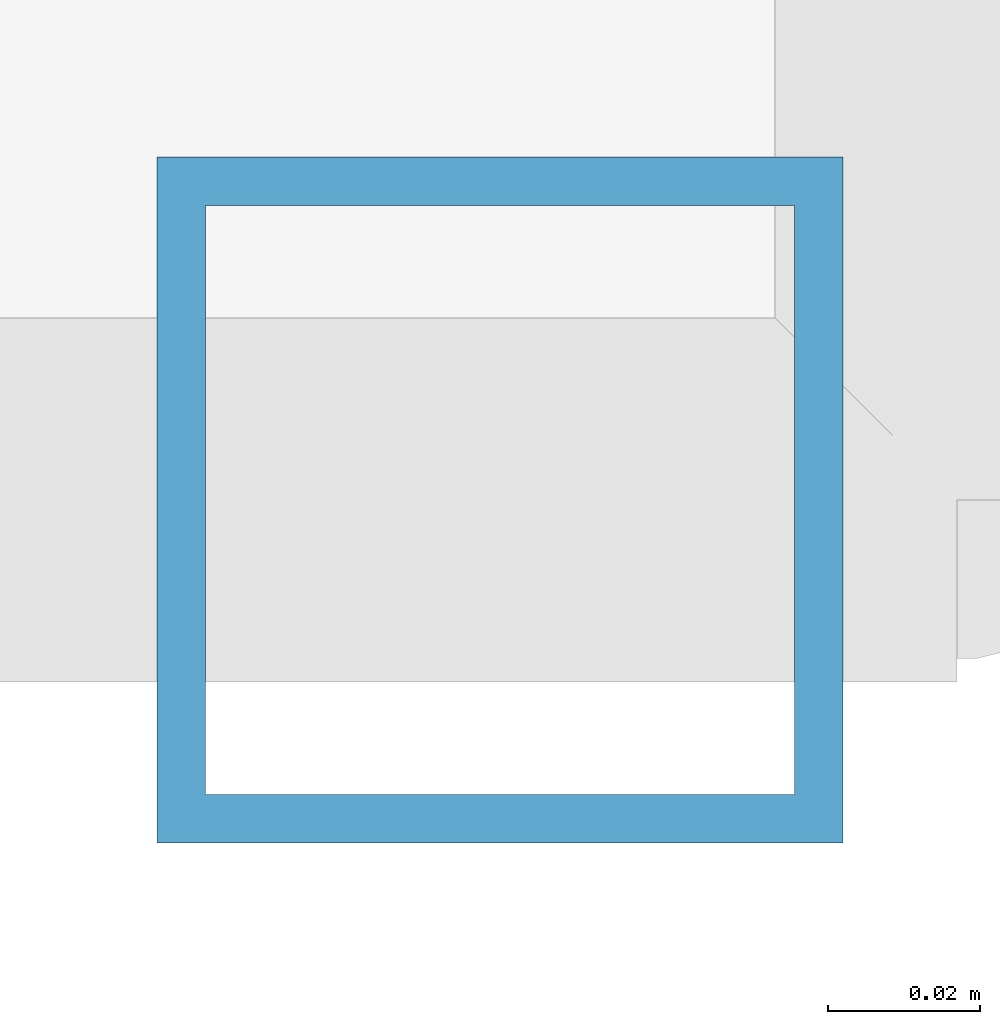
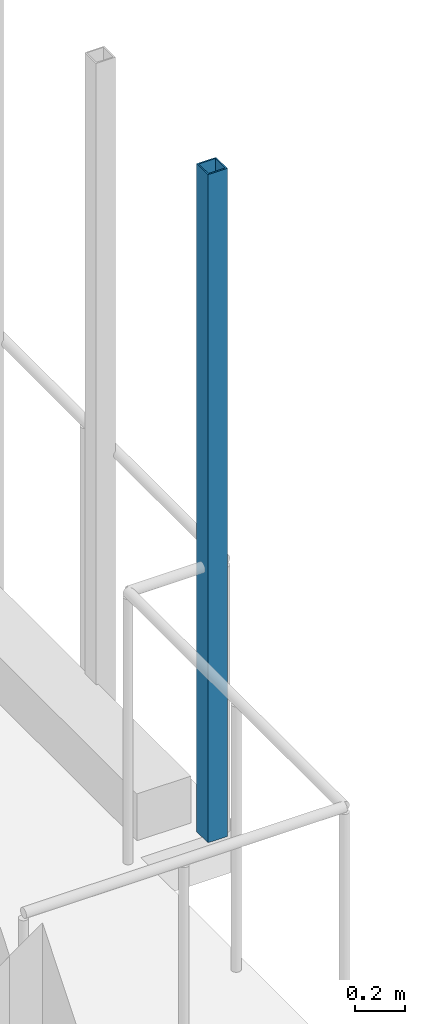
# One storey, part 8 of 73: 1 member.
"""IFC4 building model written with IfcOpenShell, lengths in metres."""

import ifcopenshell
import ifcopenshell.guid

model = None  # the IFC model being written
_history = None  # IfcOwnerHistory: only IFC2X3 demands one
_inside = {}  # id of a spatial element -> (the spatial element, [elements in it])
_under = {}  # id of a project, library or spatial element -> (it, [spatial elements below it])
_declared = {}  # id of a project -> (the project, [libraries it declares])
_typed = {}  # id of a type object -> (the type object, [elements of that type])
_made_of = {}  # id of a material, layer set ... -> (it, [elements and type objects made of it])


def new_model(schema):
    """Start an empty IFC model of exactly this schema.

    Asked for "IFC4X3", IfcOpenShell would pick the latest addendum, in which some entities
    have other attributes; the version numbers below select the first issue.
    IFC2X3 requires an IfcOwnerHistory on every rooted entity: one is made here for all.
    """
    global model, _history
    if schema == "IFC4X3":
        model = ifcopenshell.file(schema_version=(4, 3, 0, 0))
    else:
        model = ifcopenshell.file(schema=schema)
    _inside.clear()
    _under.clear()
    _declared.clear()
    _typed.clear()
    _made_of.clear()
    _history = None
    if model.schema == "IFC2X3":
        org = make("IfcOrganization", Name="unknown")
        user = make(
            "IfcPersonAndOrganization",
            ThePerson=make("IfcPerson", FamilyName="unknown"),
            TheOrganization=org,
        )
        app = make(
            "IfcApplication",
            ApplicationDeveloper=org,
            Version="unknown",
            ApplicationFullName="unknown",
            ApplicationIdentifier="unknown",
        )
        _history = make(
            "IfcOwnerHistory",
            OwningUser=user,
            OwningApplication=app,
            ChangeAction="ADDED",
            CreationDate=0,
        )
    return model


def make(cls, **values):
    """One entity of the class cls with the attributes given. An attribute that is None is left unset."""
    return model.create_entity(
        cls, **{name: value for name, value in values.items() if value is not None}
    )


def rooted(cls, **values):
    """An entity with a GlobalId (a new one), such as an element, a storey or a relation."""
    return make(cls, GlobalId=ifcopenshell.guid.new(), OwnerHistory=_history, **values)


def si_unit(unit_type, name, prefix=None):
    """IfcSIUnit, for example si_unit("LENGTHUNIT", "METRE", prefix="MILLI")."""
    return make("IfcSIUnit", UnitType=unit_type, Prefix=prefix, Name=name)


def derived_unit(unit_type, elements):
    """IfcDerivedUnit: a product of units, each with its exponent."""
    return make(
        "IfcDerivedUnit",
        Elements=[
            make("IfcDerivedUnitElement", Unit=unit, Exponent=power)
            for unit, power in elements
        ],
        UnitType=unit_type,
    )


def assignment(units):
    """IfcUnitAssignment: the units of a project."""
    return None if units is None else make("IfcUnitAssignment", Units=units)


def point(xyz):
    """IfcCartesianPoint."""
    return None if xyz is None else make("IfcCartesianPoint", Coordinates=xyz)


def direction(xyz):
    """IfcDirection."""
    return None if xyz is None else make("IfcDirection", DirectionRatios=xyz)


def frame(location, z_axis=None, x_axis=None):
    """IfcAxis2Placement3D, a coordinate frame: its origin and axes. An axis left out is left unset."""
    return make(
        "IfcAxis2Placement3D",
        Location=point(location),
        Axis=direction(z_axis),
        RefDirection=direction(x_axis),
    )


def frame_2d(location, x_axis=None):
    """IfcAxis2Placement2D, a coordinate frame in the plane: its origin and x axis."""
    return make(
        "IfcAxis2Placement2D", Location=point(location), RefDirection=direction(x_axis)
    )


def origin():
    """The frame at (0, 0, 0) with its axes left unset."""
    return frame((0.0, 0.0, 0.0))


def origin_2d():
    """The frame at (0, 0) in the plane with its x axis left unset."""
    return frame_2d((0.0, 0.0))


def place(relative_to, where):
    """IfcLocalPlacement: puts the frame where relative to a parent placement (None: the world)."""
    return make(
        "IfcLocalPlacement", PlacementRelTo=relative_to, RelativePlacement=where
    )


def context(
    kind, dimensions, precision=None, world=None, true_north=None, identifier=None
):
    """IfcGeometricRepresentationContext, for example the 3D "Model" context."""
    return make(
        "IfcGeometricRepresentationContext",
        ContextIdentifier=identifier,
        ContextType=kind,
        CoordinateSpaceDimension=dimensions,
        Precision=precision,
        WorldCoordinateSystem=world,
        TrueNorth=true_north,
    )


def subcontext(parent, identifier, kind, view, scale=None):
    """IfcGeometricRepresentationSubContext, for example "Body" below "Model"."""
    return make(
        "IfcGeometricRepresentationSubContext",
        ContextIdentifier=identifier,
        ContextType=kind,
        ParentContext=parent,
        TargetScale=scale,
        TargetView=view,
    )


def project(units=None, contexts=None):
    """IfcProject with its units and contexts."""
    return rooted(
        "IfcProject",
        Name="project",
        RepresentationContexts=contexts,
        UnitsInContext=assignment(units),
    )


def spatial(cls, under=None, at=None, **own):
    """A site, building, storey or space (cls), placed at a placement, below another one or the project."""
    s = rooted(cls, ObjectPlacement=at, **own)
    if under is not None:
        _under.setdefault(under.id(), (under, []))[1].append(s)
    return s


def profile(cls, at=None, kind="AREA", **sizes):
    """A parametric profile (cls). Its sizes go by their IFC names, for example OverallWidth=200.0."""
    return make(cls, ProfileType=kind, Position=at, **sizes)


def hollow_rectangle(**sizes):
    """IfcRectangleHollowProfileDef."""
    return profile("IfcRectangleHollowProfileDef", **sizes)


def extrude(swept, where, along, depth):
    """IfcExtrudedAreaSolid: the profile swept, set in the frame where, extruded along a direction by depth."""
    return make(
        "IfcExtrudedAreaSolid",
        SweptArea=swept,
        Position=where,
        ExtrudedDirection=direction(along),
        Depth=depth,
    )


def shape(context_of_items, identifier, shape_type, items):
    """IfcShapeRepresentation: the items that make up one representation, for example the "Body"."""
    return make(
        "IfcShapeRepresentation",
        ContextOfItems=context_of_items,
        RepresentationIdentifier=identifier,
        RepresentationType=shape_type,
        Items=items,
    )


def material(Name=None, Category=None):
    """IfcMaterial."""
    return make("IfcMaterial", Name=Name, Category=Category)


def material_profile(
    of_material, cross_section, Name=None, Category=None, Priority=None
):
    """IfcMaterialProfile: a cross section and its material."""
    return make(
        "IfcMaterialProfile",
        Name=Name,
        Material=of_material,
        Profile=cross_section,
        Priority=Priority,
        Category=Category,
    )


def profile_set(profiles, Name=None, composite=None):
    """IfcMaterialProfileSet."""
    return make(
        "IfcMaterialProfileSet",
        Name=Name,
        MaterialProfiles=profiles,
        CompositeProfile=composite,
    )


def made_of(thing, what):
    """Note that an element or type object is made of a material, layer set ...; save() writes the relation."""
    if what is not None:
        _made_of.setdefault(what.id(), (what, []))[1].append(thing)
    return thing


def type_object(cls, material=None, **own):
    """A type object (cls), such as IfcWallType, which elements share."""
    return made_of(rooted(cls, **own), material)


def element(
    cls,
    number,
    at=None,
    inside=None,
    cuts=None,
    type_object=None,
    material=None,
    context=None,
    identifier="Body",
    shape_type=None,
    held_by="IfcProductDefinitionShape",
    body=None,
    shapes=None,
    **own,
):
    """One element of the class cls, such as IfcWall. Its Tag is "e" and its number.

    at: its placement. inside: the storey or other place that contains it. cuts: it is an
    opening in that element (IfcRelVoidsElement). A single representation is given by context,
    identifier, shape_type and body (its items); several are given by shapes. held_by: the class
    of the entity that holds the representations. save() writes the other relations.
    """
    e = rooted(cls, Tag="e%d" % number, ObjectPlacement=at, **own)
    if body is not None:
        shapes = [shape(context, identifier, shape_type, body)]
    if shapes is not None:
        e.Representation = make(held_by, Representations=shapes)
    if inside is not None:
        _inside.setdefault(inside.id(), (inside, []))[1].append(e)
    if cuts is not None:
        rooted(
            "IfcRelVoidsElement", RelatingBuildingElement=cuts, RelatedOpeningElement=e
        )
    if type_object is not None:
        _typed.setdefault(type_object.id(), (type_object, []))[1].append(e)
    return made_of(e, material)


def aggregate(whole, parts):
    """IfcRelAggregates: a whole, such as a stair, and the parts it consists of."""
    return rooted("IfcRelAggregates", RelatingObject=whole, RelatedObjects=parts)


def save(model, path):
    """Write the relations noted so far, then the file.

    IfcRelAggregates (storeys below a building ...), IfcRelContainedInSpatialStructure (elements
    in a storey), IfcRelDefinesByType, IfcRelAssociatesMaterial and IfcRelDeclares: one each for
    every whole, place, type object, material and project.
    """
    for whole, parts in _under.values():
        aggregate(whole, parts)
    for where, things in _inside.values():
        rooted(
            "IfcRelContainedInSpatialStructure",
            RelatedElements=things,
            RelatingStructure=where,
        )
    for kind, things in _typed.values():
        rooted("IfcRelDefinesByType", RelatedObjects=things, RelatingType=kind)
    for what, things in _made_of.values():
        rooted("IfcRelAssociatesMaterial", RelatedObjects=things, RelatingMaterial=what)
    for by, libraries in _declared.values():
        rooted("IfcRelDeclares", RelatingContext=by, RelatedDefinitions=libraries)
    model.write(path)


model = new_model("IFC4")

# Units and contexts
model_context = context("Model", 3, precision=1e-05, world=origin(), true_north=direction((0.0, 1.0)))
body_context = subcontext(model_context, "Body", "Model", "MODEL_VIEW")
ifc_project = project(units=[si_unit("LENGTHUNIT", "METRE"), si_unit("AREAUNIT", "SQUARE_METRE"), si_unit("VOLUMEUNIT", "CUBIC_METRE"), si_unit("PLANEANGLEUNIT", "RADIAN"), si_unit("MASSUNIT", "GRAM", prefix="KILO"), derived_unit("THERMALTRANSMITTANCEUNIT", [(si_unit("MASSUNIT", "GRAM", prefix="KILO"), 1), (si_unit("TIMEUNIT", "SECOND"), -3), (si_unit("THERMODYNAMICTEMPERATUREUNIT", "KELVIN"), -1)])], contexts=[model_context])

# Site, building, storey
site_placement = place(None, origin())
site = spatial("IfcSite", under=ifc_project, at=site_placement, CompositionType="ELEMENT")
building_placement = place(site_placement, origin())
building = spatial("IfcBuilding", under=site, at=building_placement, Name="Ochrekiln Boulevard Commons", CompositionType="ELEMENT")
storey_placement = place(building_placement, frame((0.0, 0.0, 8.574951171875)))
storey = spatial("IfcBuildingStorey", under=building, at=storey_placement, Name="L02", CompositionType="ELEMENT", Elevation=8.574951171875)

# Member
ifc_material = material(Name="Steel A500 Grade C", Category="steel")
ifc_material_profile = material_profile(ifc_material, hollow_rectangle(XDim=0.090087890625, YDim=0.090087890625, WallThickness=0.00634765625, at=origin_2d()), Name="HSS90X90X6.4")
ifc_profile_set = profile_set([ifc_material_profile], Name="Steel A500 Grade C")
member_type = type_object("IfcMemberType", Name="MEM-PST-HSS90", PredefinedType="POST", material=ifc_profile_set)
member_placement = place(storey_placement, frame((23.47998046875, 31.5, 0.0), z_axis=(0.0, 0.0, 1.0), x_axis=(1.0, 0.0, 0.0)))
element("IfcMember", 1, at=member_placement, inside=storey, type_object=member_type, Name="Block D L02 Slim Vertical Balcony Post (320)", PredefinedType="POST", context=body_context, shape_type="SweptSolid", body=[
    extrude(hollow_rectangle(XDim=0.090087890625, YDim=0.090087890625, WallThickness=0.00634765625, at=origin_2d()), origin(), (0.0, 0.0, 1.0), 3.280029296875),
])

save(model, "model.ifc")
